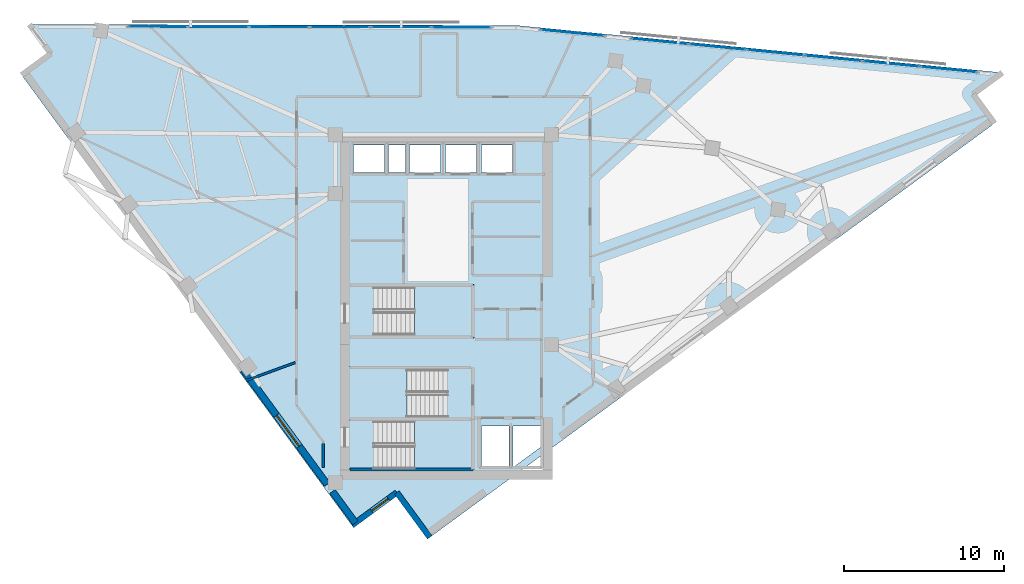
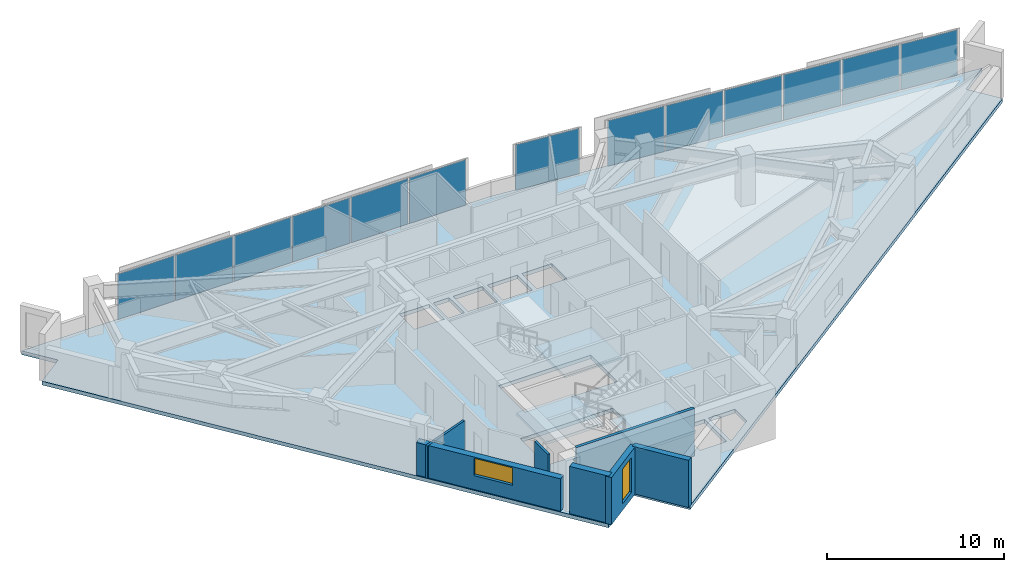
# One storey, part 7 of 14: 13 plates, 7 walls, 4 slabs, 2 windows, 2 openings, 6 elements without a shape of their own.
"""IFC4 building model written with IfcOpenShell, lengths in metres."""

from ifc_helpers import new_model, si_unit, direction, frame, frame_2d, origin, origin_2d, place, context, subcontext, project, spatial, polyline, rectangle, outline, extrude, material, layer, layer_set, type_object, element, fill, aggregate, save


model = new_model("IFC4")

# Units and contexts
model_context = context("Model", 3, precision=1e-05, world=origin(), true_north=direction((0.0, 1.0)))
body_context = subcontext(model_context, "Body", "Model", "MODEL_VIEW")
ifc_project = project(units=[si_unit("LENGTHUNIT", "METRE"), si_unit("AREAUNIT", "SQUARE_METRE"), si_unit("VOLUMEUNIT", "CUBIC_METRE"), si_unit("PLANEANGLEUNIT", "RADIAN"), si_unit("MASSUNIT", "GRAM", prefix="KILO")], contexts=[model_context])

# Site, building, storey
site_placement = place(None, origin())
site = spatial("IfcSite", under=ifc_project, at=site_placement, CompositionType="ELEMENT")
building_placement = place(site_placement, origin())
building = spatial("IfcBuilding", under=site, at=building_placement, Name="Narakoshi Arena Tower", CompositionType="ELEMENT")
storey_placement = place(building_placement, frame((0.0, 0.0, 260.739990234375)))
storey = spatial("IfcBuildingStorey", under=building, at=storey_placement, Name="L71", CompositionType="ELEMENT", Elevation=260.739990234375)

# Curtain wall, plates
ifc_material_1 = material(Name="Anodised bronze aluminium 6063-T6", Category="aluminium")
curtain_wall_type = type_object("IfcCurtainWallType", Name="CW-HYP-HIGH", PredefinedType="NOTDEFINED", material=ifc_material_1)
curtain_wall_1_placement = place(storey_placement, origin())
curtain_wall_1 = element("IfcCurtainWall", 1, at=curtain_wall_1_placement, inside=storey, type_object=curtain_wall_type, Name="L71 Folded Hypotenuse Curtain Wall 1-1", PredefinedType="NOTDEFINED")
ifc_material_2 = material(Name="Bronze-tinted low-E laminated glass", Category="glass")
ifc_layer_1 = layer(ifc_material_2, 0.0439453125)
ifc_layer_set_1 = layer_set([ifc_layer_1], Name="Bronze-tinted low-E laminated glass")
plate_type = type_object("IfcPlateType", Name="PLT-GLZ-44", PredefinedType="CURTAIN_PANEL", material=ifc_layer_set_1)
plate_1_placement = place(storey_placement, frame((110.45458984375, 60.593505859375, 0.065185546875), z_axis=(0.0, 0.0, 1.0), x_axis=(-0.995298860454, 0.096851320996, 0.0)))
plate_1 = element("IfcPlate", 2, at=plate_1_placement, type_object=plate_type, Name="CW-03 panel 1.1", PredefinedType="CURTAIN_PANEL", context=body_context, shape_type="SweptSolid", body=[
    extrude(rectangle(XDim=3.52880859375, YDim=0.0439453125, at=origin_2d()), origin(), (0.0, 0.0, 1.0), 3.1298828125),
])
plate_2_placement = place(storey_placement, frame((106.8427734375, 60.945068359375, 0.065185546875), z_axis=(0.0, 0.0, 1.0), x_axis=(-0.995298860454, 0.096851320996, 0.0)))
plate_2 = element("IfcPlate", 3, at=plate_2_placement, type_object=plate_type, Name="CW-03 panel 2.1", PredefinedType="CURTAIN_PANEL", context=body_context, shape_type="SweptSolid", body=[
    extrude(rectangle(XDim=3.568603515625, YDim=0.0439453125, at=origin_2d()), origin(), (0.0, 0.0, 1.0), 3.1298828125),
])
plate_3_placement = place(storey_placement, frame((103.211181640625, 61.29833984375, 0.065185546875), z_axis=(0.0, 0.0, 1.0), x_axis=(-0.995298860454, 0.096851320996, 0.0)))
plate_3 = element("IfcPlate", 4, at=plate_3_placement, type_object=plate_type, Name="CW-03 panel 3.1", PredefinedType="CURTAIN_PANEL", context=body_context, shape_type="SweptSolid", body=[
    extrude(rectangle(XDim=3.568603515625, YDim=0.0439453125, at=origin_2d()), origin(), (0.0, 0.0, 1.0), 3.1298828125),
])
plate_4_placement = place(storey_placement, frame((99.579833984375, 61.65185546875, 0.065185546875), z_axis=(0.0, 0.0, 1.0), x_axis=(-0.995298860454, 0.096851320996, 0.0)))
plate_4 = element("IfcPlate", 5, at=plate_4_placement, type_object=plate_type, Name="CW-03 panel 4.1", PredefinedType="CURTAIN_PANEL", context=body_context, shape_type="SweptSolid", body=[
    extrude(rectangle(XDim=3.568603515625, YDim=0.0439453125, at=origin_2d()), origin(), (0.0, 0.0, 1.0), 3.1298828125),
])
plate_5_placement = place(storey_placement, frame((95.9482421875, 62.005126953125, 0.065185546875), z_axis=(0.0, 0.0, 1.0), x_axis=(-0.995298860454, 0.096851320996, 0.0)))
plate_5 = element("IfcPlate", 6, at=plate_5_placement, type_object=plate_type, Name="CW-03 panel 5.1", PredefinedType="CURTAIN_PANEL", context=body_context, shape_type="SweptSolid", body=[
    extrude(rectangle(XDim=3.568603515625, YDim=0.0439453125, at=origin_2d()), origin(), (0.0, 0.0, 1.0), 3.1298828125),
])
plate_6_placement = place(storey_placement, frame((92.33642578125, 62.356689453125, 0.065185546875), z_axis=(0.0, 0.0, 1.0), x_axis=(-0.995298860454, 0.096851320996, 0.0)))
plate_6 = element("IfcPlate", 7, at=plate_6_placement, type_object=plate_type, Name="CW-03 panel 6.1", PredefinedType="CURTAIN_PANEL", context=body_context, shape_type="SweptSolid", body=[
    extrude(rectangle(XDim=3.52880859375, YDim=0.0439453125, at=origin_2d()), origin(), (0.0, 0.0, 1.0), 3.1298828125),
])
aggregate(curtain_wall_1, [plate_1, plate_2, plate_3, plate_4, plate_5, plate_6])

# Curtain wall, plate
curtain_wall_2_placement = place(storey_placement, origin())
curtain_wall_2 = element("IfcCurtainWall", 8, at=curtain_wall_2_placement, inside=storey, type_object=curtain_wall_type, Name="L71 Folded Hypotenuse Curtain Wall 1-2", PredefinedType="NOTDEFINED")
plate_7_placement = place(storey_placement, frame((86.862060546875, 62.889404296875, 0.065185546875), z_axis=(0.0, 0.0, 1.0), x_axis=(-0.995299683896, 0.096842858471, 0.0)))
plate_7 = element("IfcPlate", 9, at=plate_7_placement, type_object=plate_type, Name="CW-03 panel 1.1", PredefinedType="CURTAIN_PANEL", context=body_context, shape_type="SweptSolid", body=[
    extrude(rectangle(XDim=3.9560546875, YDim=0.0439453125, at=origin_2d()), origin(), (0.0, 0.0, 1.0), 3.1298828125),
])
aggregate(curtain_wall_2, [plate_7])

# Curtain wall, plates
curtain_wall_3_placement = place(storey_placement, origin())
curtain_wall_3 = element("IfcCurtainWall", 10, at=curtain_wall_3_placement, inside=storey, type_object=curtain_wall_type, Name="L71 Folded Hypotenuse Curtain Wall 2-1", PredefinedType="NOTDEFINED")
plate_8_placement = place(storey_placement, frame((79.907470703125, 63.239501953125, 0.065185546875), z_axis=(0.0, 0.0, 1.0), x_axis=(-0.999998343986, 0.001819896899, 0.0)))
plate_8 = element("IfcPlate", 11, at=plate_8_placement, type_object=plate_type, Name="CW-03 panel 1.1", PredefinedType="CURTAIN_PANEL", context=body_context, shape_type="SweptSolid", body=[
    extrude(rectangle(XDim=3.689697265625, YDim=0.0439453125, at=origin_2d()), origin(), (0.0, 0.0, 1.0), 3.1298828125),
])
plate_9_placement = place(storey_placement, frame((76.11767578125, 63.246337890625, 0.065185546875), z_axis=(0.0, 0.0, 1.0), x_axis=(-0.999998343986, 0.001819896899, 0.0)))
plate_9 = element("IfcPlate", 12, at=plate_9_placement, type_object=plate_type, Name="CW-03 panel 2.1", PredefinedType="CURTAIN_PANEL", context=body_context, shape_type="SweptSolid", body=[
    extrude(rectangle(XDim=3.729736328125, YDim=0.0439453125, at=origin_2d()), origin(), (0.0, 0.0, 1.0), 3.1298828125),
])
plate_10_placement = place(storey_placement, frame((72.307861328125, 63.25341796875, 0.065185546875), z_axis=(0.0, 0.0, 1.0), x_axis=(-0.999998343986, 0.001819896899, 0.0)))
plate_10 = element("IfcPlate", 13, at=plate_10_placement, type_object=plate_type, Name="CW-03 panel 3.1", PredefinedType="CURTAIN_PANEL", context=body_context, shape_type="SweptSolid", body=[
    extrude(rectangle(XDim=3.729736328125, YDim=0.0439453125, at=origin_2d()), origin(), (0.0, 0.0, 1.0), 3.1298828125),
])
plate_11_placement = place(storey_placement, frame((68.498291015625, 63.26025390625, 0.065185546875), z_axis=(0.0, 0.0, 1.0), x_axis=(-0.999998343986, 0.001819896899, 0.0)))
plate_11 = element("IfcPlate", 14, at=plate_11_placement, type_object=plate_type, Name="CW-03 panel 4.1", PredefinedType="CURTAIN_PANEL", context=body_context, shape_type="SweptSolid", body=[
    extrude(rectangle(XDim=3.729736328125, YDim=0.0439453125, at=origin_2d()), origin(), (0.0, 0.0, 1.0), 3.1298828125),
])
plate_12_placement = place(storey_placement, frame((64.6884765625, 63.26708984375, 0.065185546875), z_axis=(0.0, 0.0, 1.0), x_axis=(-0.999998343986, 0.001819896899, 0.0)))
plate_12 = element("IfcPlate", 15, at=plate_12_placement, type_object=plate_type, Name="CW-03 panel 5.1", PredefinedType="CURTAIN_PANEL", context=body_context, shape_type="SweptSolid", body=[
    extrude(rectangle(XDim=3.729736328125, YDim=0.0439453125, at=origin_2d()), origin(), (0.0, 0.0, 1.0), 3.1298828125),
])
plate_13_placement = place(storey_placement, frame((60.898681640625, 63.274169921875, 0.065185546875), z_axis=(0.0, 0.0, 1.0), x_axis=(-0.999998343986, 0.001819896899, 0.0)))
plate_13 = element("IfcPlate", 16, at=plate_13_placement, type_object=plate_type, Name="CW-03 panel 6.1", PredefinedType="CURTAIN_PANEL", context=body_context, shape_type="SweptSolid", body=[
    extrude(rectangle(XDim=3.689697265625, YDim=0.0439453125, at=origin_2d()), origin(), (0.0, 0.0, 1.0), 3.1298828125),
])
aggregate(curtain_wall_3, [plate_8, plate_9, plate_10, plate_11, plate_12, plate_13])

# Stair, slab
ifc_material_3 = material(Name="Concrete C45/55", Category="concrete")
stair_type = type_object("IfcStairType", Name="STR-CORE-352", PredefinedType="TWO_STRAIGHT_RUN_STAIR", material=ifc_material_3)
stair_1_placement = place(storey_placement, origin())
stair_1 = element("IfcStair", 17, at=stair_1_placement, inside=storey, type_object=stair_type, Name="L71 Core Escape Stair ST1", PredefinedType="TWO_STRAIGHT_RUN_STAIR")
ifc_layer_2 = layer(ifc_material_3, 0.18994140625)
ifc_layer_set_2 = layer_set([ifc_layer_2], Name="Concrete C45/55")
slab_type_1 = type_object("IfcSlabType", Name="SLB-LND-190", PredefinedType="LANDING", material=ifc_layer_set_2)
slab_1_placement = place(storey_placement, frame((0.0, 0.0, 1.570068359375)))
slab_1 = element("IfcSlab", 18, at=slab_1_placement, type_object=slab_type_1, Name="ST1 landing 1", PredefinedType="LANDING", context=body_context, shape_type="SweptSolid", body=[
    extrude(outline(polyline([(76.965087890625, 35.3701171875), (80.679931640625, 35.3701171875), (80.679931640625, 38.72998046875), (76.965087890625, 38.72998046875), (76.965087890625, 35.3701171875)])), origin(), (0.0, 0.0, 1.0), 0.18994140625),
])
aggregate(stair_1, [slab_1])

stair_2_placement = place(storey_placement, origin())
stair_2 = element("IfcStair", 19, at=stair_2_placement, inside=storey, type_object=stair_type, Name="L71 Core Escape Stair ST2", PredefinedType="TWO_STRAIGHT_RUN_STAIR")
slab_2_placement = place(storey_placement, frame((0.0, 0.0, 1.570068359375)))
slab_2 = element("IfcSlab", 20, at=slab_2_placement, type_object=slab_type_1, Name="ST2 landing 1", PredefinedType="LANDING", context=body_context, shape_type="SweptSolid", body=[
    extrude(outline(polyline([(72.77001953125, 38.6201171875), (76.485107421875, 38.6201171875), (76.485107421875, 41.97998046875), (72.77001953125, 41.97998046875), (72.77001953125, 38.6201171875)])), origin(), (0.0, 0.0, 1.0), 0.18994140625),
])
aggregate(stair_2, [slab_2])

stair_3_placement = place(storey_placement, origin())
stair_3 = element("IfcStair", 21, at=stair_3_placement, inside=storey, type_object=stair_type, Name="L71 Core Escape Stair ST3", PredefinedType="TWO_STRAIGHT_RUN_STAIR")
slab_3_placement = place(storey_placement, frame((0.0, 0.0, 1.570068359375)))
slab_3 = element("IfcSlab", 22, at=slab_3_placement, type_object=slab_type_1, Name="ST3 landing 1", PredefinedType="LANDING", context=body_context, shape_type="SweptSolid", body=[
    extrude(outline(polyline([(76.965087890625, 43.77001953125), (80.679931640625, 43.77001953125), (80.679931640625, 47.1298828125), (76.965087890625, 47.1298828125), (76.965087890625, 43.77001953125)])), origin(), (0.0, 0.0, 1.0), 0.18994140625),
])
aggregate(stair_3, [slab_3])

# Slab
ifc_material_4 = material(Name="Concrete C50/60", Category="concrete")
ifc_layer_3 = layer(ifc_material_4, 0.260009765625)
ifc_layer_set_3 = layer_set([ifc_layer_3], Name="Concrete C50/60")
slab_type_2 = type_object("IfcSlabType", Name="SLB-SKY-260", PredefinedType="FLOOR", material=ifc_layer_set_3)
slab_4_placement = place(storey_placement, frame((0.0, 0.0, -0.260009765625)))
element("IfcSlab", 23, at=slab_4_placement, inside=storey, type_object=slab_type_2, Name="L71 Structural Floor Slab", PredefinedType="FLOOR", context=body_context, shape_type="SweptSolid", body=[
    extrude(outline(polyline([(77.922607421875, 31.273193359375), (113.306640625, 57.218017578125), (111.96533203125, 59.047607421875), (113.794921875, 60.38916015625), (83.33251953125, 63.353271484375), (52.84521484375, 63.40869140625), (54.1865234375, 61.5791015625), (52.357177734375, 60.23779296875), (73.044189453125, 32.024169921875), (75.858642578125, 34.087890625), (77.922607421875, 31.273193359375)]), holes=[polyline([(80.5, 35.550048828125), (74.47998046875, 35.550048828125), (74.47998046875, 38.550048828125), (80.5, 38.550048828125), (80.5, 35.550048828125)]), polyline([(82.89990234375, 35.75), (81.14990234375, 35.75), (81.14990234375, 38.25), (82.89990234375, 38.25), (82.89990234375, 35.75)]), polyline([(84.89990234375, 36.947509765625), (83.266845703125, 35.75), (83.14990234375, 35.75), (83.14990234375, 38.25), (84.89990234375, 38.25), (84.89990234375, 36.947509765625)]), polyline([(72.949951171875, 38.800048828125), (72.949951171875, 41.800048828125), (78.969970703125, 41.800048828125), (78.969970703125, 38.800048828125), (72.949951171875, 38.800048828125)]), polyline([(74.47998046875, 43.949951171875), (74.47998046875, 46.949951171875), (80.5, 46.949951171875), (80.5, 43.949951171875), (74.47998046875, 43.949951171875)]), polyline([(75.10009765625, 54.14990234375), (73.14990234375, 54.14990234375), (73.14990234375, 55.85009765625), (75.10009765625, 55.85009765625), (75.10009765625, 54.14990234375)]), polyline([(76.39990234375, 54.14990234375), (75.35009765625, 54.14990234375), (75.35009765625, 55.85009765625), (76.39990234375, 55.85009765625), (76.39990234375, 54.14990234375)]), polyline([(78.60009765625, 54.14990234375), (76.64990234375, 54.14990234375), (76.64990234375, 55.85009765625), (78.60009765625, 55.85009765625), (78.60009765625, 54.14990234375)]), polyline([(78.89990234375, 54.14990234375), (78.89990234375, 55.85009765625), (80.85009765625, 55.85009765625), (80.85009765625, 54.14990234375), (78.89990234375, 54.14990234375)]), polyline([(81.14990234375, 54.14990234375), (81.14990234375, 55.85009765625), (83.10009765625, 55.85009765625), (83.10009765625, 54.14990234375), (81.14990234375, 54.14990234375)])]), origin(), (0.0, 0.0, 1.0), 0.260009765625),
])

# Wall, opening, window
ifc_material_5 = material(Name="Precast concrete C45/55", Category="concrete")
ifc_layer_4 = layer(ifc_material_5, 0.419921875)
ifc_layer_set_4 = layer_set([ifc_layer_4], Name="Precast concrete C45/55")
wall_type_1 = type_object("IfcWallType", Name="WL-POD-420", PredefinedType="SOLIDWALL", material=ifc_layer_set_4)
wall_1_placement = place(storey_placement, frame((66.232421875, 41.779296875, 0.0), z_axis=(0.0, 0.0, 1.0), x_axis=(0.591309008949, -0.806445073105, 0.0)))
wall_1 = element("IfcWall", 24, at=wall_1_placement, inside=storey, type_object=wall_type_1, Name="L71 Architectural Concrete Facade Wall LEGB-3", PredefinedType="SOLIDWALL", context=body_context, shape_type="SweptSolid", body=[
    extrude(rectangle(XDim=8.908447265625, YDim=0.419921875, at=frame_2d((4.4541015625, 0.0))), origin(), (0.0, 0.0, 1.0), 2.237060546875),
])
opening_1_placement = place(wall_1_placement, frame((3.549072265625, 0.0, 0.95703125)))
opening_1 = element("IfcOpeningElement", 25, at=opening_1_placement, cuts=wall_1, Name="Opening WN-04", PredefinedType="OPENING", context=body_context, shape_type="SweptSolid", body=[
    extrude(rectangle(XDim=2.39990234375, YDim=1.199951171875, at=frame_2d((1.199951171875, 0.60009765625))), frame((0.0, 0.219970703125, 0.0), z_axis=(0.0, -1.0, 0.0), x_axis=(1.0, 0.0, 0.0)), (0.0, 0.0, 1.0), 0.43994140625),
])
window_type_1 = type_object("IfcWindowType", Name="WIN-SLT-24x12", PartitioningType="SINGLE_PANEL", PredefinedType="WINDOW", material=ifc_material_2)
window_1_placement = place(opening_1_placement, origin())
window_1 = element("IfcWindow", 26, at=window_1_placement, inside=storey, type_object=window_type_1, Name="L71 LEGB3 Horizontal Slot Window 1", OverallHeight=1.199951171875, OverallWidth=2.39990234375, PartitioningType="SINGLE_PANEL", PredefinedType="WINDOW", context=body_context, shape_type="SweptSolid", body=[
    extrude(rectangle(XDim=2.39990234375, YDim=1.199951171875, at=frame_2d((1.199951171875, 0.60009765625))), frame((0.0, 0.030029296875, 0.0), z_axis=(0.0, -1.0, 0.0), x_axis=(1.0, 0.0, 0.0)), (0.0, 0.0, 1.0), 0.06005859375),
])
fill(opening_1, window_1)

# Wall
wall_2_placement = place(storey_placement, frame((71.826416015625, 34.14990234375, 0.0), z_axis=(0.0, 0.0, 1.0), x_axis=(0.591315835946, -0.806440067308, 0.0)))
element("IfcWall", 27, at=wall_2_placement, inside=storey, type_object=wall_type_1, Name="L71 Architectural Concrete Facade Wall LEGB-4", PredefinedType="SOLIDWALL", context=body_context, shape_type="SweptSolid", body=[
    extrude(rectangle(XDim=2.434326171875, YDim=0.419921875, at=frame_2d((1.21728515625, 0.0))), origin(), (0.0, 0.0, 1.0), 3.260009765625),
])

# Wall, opening, window
wall_3_placement = place(storey_placement, frame((73.044189453125, 32.024169921875, 0.0), z_axis=(0.0, 0.0, 1.0), x_axis=(0.806433906667, 0.591324237774, 0.0)))
wall_3 = element("IfcWall", 28, at=wall_3_placement, inside=storey, type_object=wall_type_1, Name="L71 Re-Entrant Corner Notch Wall NTA-1", PredefinedType="SOLIDWALL", context=body_context, shape_type="SweptSolid", body=[
    extrude(rectangle(XDim=3.489990234375, YDim=0.360107421875, at=frame_2d((1.7451171875, 0.0))), origin(), (0.0, 0.0, 1.0), 3.260009765625),
])
opening_2_placement = place(wall_3_placement, frame((1.535400390625, 0.0, 0.449951171875)))
opening_2 = element("IfcOpeningElement", 29, at=opening_2_placement, cuts=wall_3, Name="Opening WN-06", PredefinedType="OPENING", context=body_context, shape_type="SweptSolid", body=[
    extrude(rectangle(XDim=1.300048828125, YDim=2.39990234375, at=frame_2d((0.64990234375, 1.199951171875))), frame((0.0, 0.18994140625, 0.0), z_axis=(0.0, -1.0, 0.0), x_axis=(1.0, 0.0, 0.0)), (0.0, 0.0, 1.0), 0.380126953125),
])
window_type_2 = type_object("IfcWindowType", Name="WIN-NTC-16x24", PartitioningType="SINGLE_PANEL", PredefinedType="WINDOW", material=ifc_material_2)
window_2_placement = place(opening_2_placement, origin())
window_2 = element("IfcWindow", 30, at=window_2_placement, inside=storey, type_object=window_type_2, Name="L71 Corner Notch Window NTA", OverallHeight=2.39990234375, OverallWidth=1.300048828125, PartitioningType="SINGLE_PANEL", PredefinedType="WINDOW", context=body_context, shape_type="SweptSolid", body=[
    extrude(rectangle(XDim=1.300048828125, YDim=2.39990234375, at=frame_2d((0.64990234375, 1.199951171875))), frame((0.0, 0.030029296875, 0.0), z_axis=(0.0, -1.0, 0.0), x_axis=(1.0, 0.0, 0.0)), (0.0, 0.0, 1.0), 0.06005859375),
])
fill(opening_2, window_2)

# Walls
wall_4_placement = place(storey_placement, frame((75.858642578125, 34.087890625, 0.0), z_axis=(0.0, 0.0, 1.0), x_axis=(0.591336371625, -0.806425009281, 0.0)))
element("IfcWall", 31, at=wall_4_placement, inside=storey, type_object=wall_type_1, Name="L71 Re-Entrant Corner Notch Wall NTA-2", PredefinedType="SOLIDWALL", context=body_context, shape_type="SweptSolid", body=[
    extrude(rectangle(XDim=3.490234375, YDim=0.360107421875, at=frame_2d((1.7451171875, 0.0))), origin(), (0.0, 0.0, 1.0), 3.260009765625),
])
ifc_layer_5 = layer(ifc_material_4, 0.35009765625)
ifc_layer_set_5 = layer_set([ifc_layer_5], Name="Concrete C50/60")
wall_type_2 = type_object("IfcWallType", Name="WL-SHAFT-350", PredefinedType="SOLIDWALL", material=ifc_layer_set_5)
wall_5_placement = place(storey_placement, frame((72.919921875, 35.52001953125, -0.260009765625), z_axis=(0.0, 0.0, 1.0), x_axis=(1.0, 0.0, 0.0)))
element("IfcWall", 32, at=wall_5_placement, inside=storey, type_object=wall_type_2, Name="L71 Core Wall ST1-S", PredefinedType="SOLIDWALL", context=body_context, shape_type="SweptSolid", body=[
    extrude(rectangle(XDim=7.7001953125, YDim=0.199951171875, at=frame_2d((3.85009765625, 0.0))), origin(), (0.0, 0.0, 1.0), 3.52001953125),
])
ifc_material_6 = material(Name="Moisture-resistant cement-board partition")
ifc_layer_6 = layer(ifc_material_6, 0.14501953125)
ifc_layer_set_6 = layer_set([ifc_layer_6], Name="Moisture-resistant cement-board partition")
wall_type_3 = type_object("IfcWallType", Name="WL-WET-145", PredefinedType="PARTITIONING", material=ifc_layer_set_6)
wall_6_placement = place(storey_placement, frame((66.393310546875, 41.0947265625, 0.0), z_axis=(0.0, 0.0, 1.0), x_axis=(0.939471141622, 0.342628040388, 0.0)))
element("IfcWall", 33, at=wall_6_placement, inside=storey, type_object=wall_type_3, Name="L71 Inter-Room Partition 01-09", PredefinedType="PARTITIONING", context=body_context, shape_type="SweptSolid", body=[
    extrude(rectangle(XDim=3.2998046875, YDim=0.14501953125, at=frame_2d((1.64990234375, 0.0))), origin(), (0.0, 0.0, 1.0), 2.237060546875),
])
wall_7_placement = place(storey_placement, frame((71.25, 37.159912109375, 0.0), z_axis=(0.0, 0.0, 1.0), x_axis=(0.0, -1.0, 0.0)))
element("IfcWall", 34, at=wall_7_placement, inside=storey, type_object=wall_type_3, Name="L71 Room Enclosure Partition 01-1", PredefinedType="PARTITIONING", context=body_context, shape_type="SweptSolid", body=[
    extrude(rectangle(XDim=1.49658203125, YDim=0.14501953125, at=frame_2d((0.748291015625, 0.0))), origin(), (0.0, 0.0, 1.0), 3.260009765625),
])

save(model, "model.ifc")
